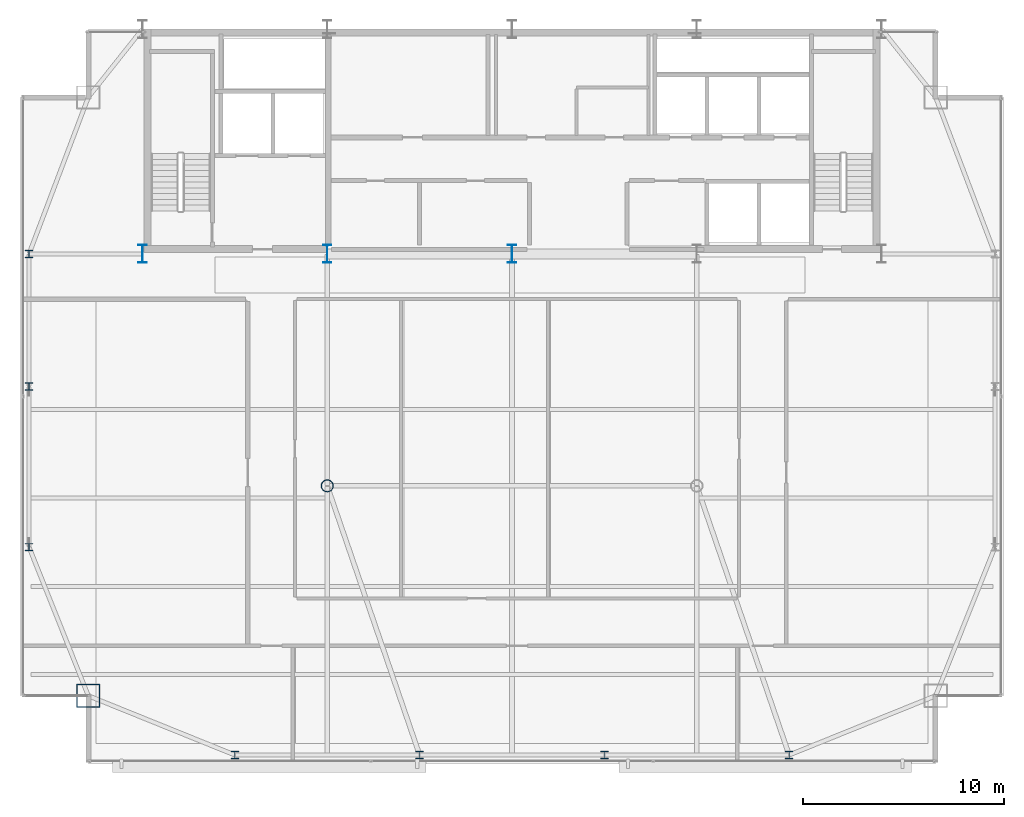
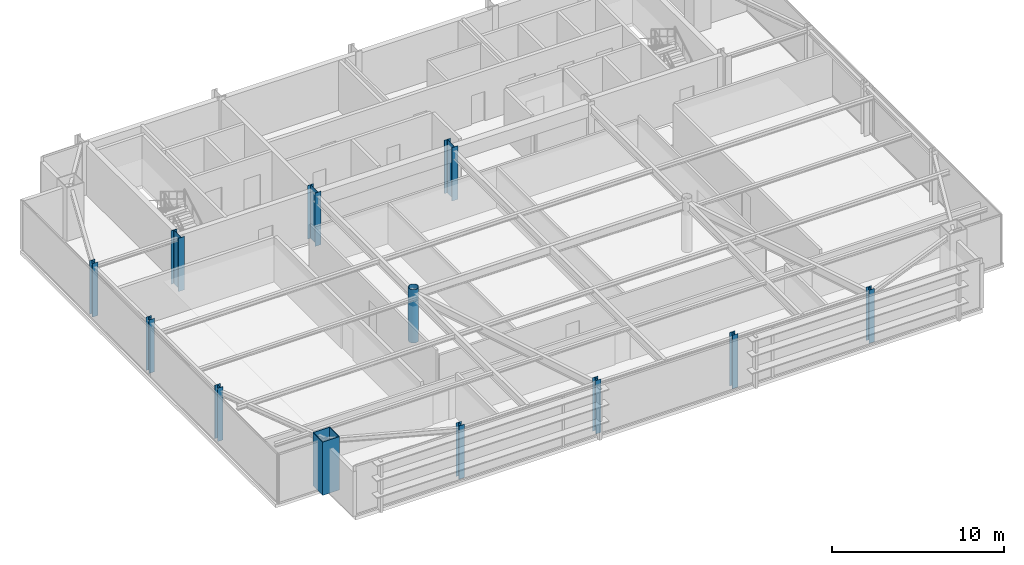
# One storey, part 1 of 25: 12 columns.
"""IFC4 building model written with IfcOpenShell, lengths in metres."""

import ifcopenshell
import ifcopenshell.guid

model = None  # the IFC model being written
_history = None  # IfcOwnerHistory: only IFC2X3 demands one
_inside = {}  # id of a spatial element -> (the spatial element, [elements in it])
_under = {}  # id of a project, library or spatial element -> (it, [spatial elements below it])
_declared = {}  # id of a project -> (the project, [libraries it declares])
_typed = {}  # id of a type object -> (the type object, [elements of that type])
_made_of = {}  # id of a material, layer set ... -> (it, [elements and type objects made of it])


def new_model(schema):
    """Start an empty IFC model of exactly this schema.

    Asked for "IFC4X3", IfcOpenShell would pick the latest addendum, in which some entities
    have other attributes; the version numbers below select the first issue.
    IFC2X3 requires an IfcOwnerHistory on every rooted entity: one is made here for all.
    """
    global model, _history
    if schema == "IFC4X3":
        model = ifcopenshell.file(schema_version=(4, 3, 0, 0))
    else:
        model = ifcopenshell.file(schema=schema)
    _inside.clear()
    _under.clear()
    _declared.clear()
    _typed.clear()
    _made_of.clear()
    _history = None
    if model.schema == "IFC2X3":
        org = make("IfcOrganization", Name="unknown")
        user = make(
            "IfcPersonAndOrganization",
            ThePerson=make("IfcPerson", FamilyName="unknown"),
            TheOrganization=org,
        )
        app = make(
            "IfcApplication",
            ApplicationDeveloper=org,
            Version="unknown",
            ApplicationFullName="unknown",
            ApplicationIdentifier="unknown",
        )
        _history = make(
            "IfcOwnerHistory",
            OwningUser=user,
            OwningApplication=app,
            ChangeAction="ADDED",
            CreationDate=0,
        )
    return model


def make(cls, **values):
    """One entity of the class cls with the attributes given. An attribute that is None is left unset."""
    return model.create_entity(
        cls, **{name: value for name, value in values.items() if value is not None}
    )


def rooted(cls, **values):
    """An entity with a GlobalId (a new one), such as an element, a storey or a relation."""
    return make(cls, GlobalId=ifcopenshell.guid.new(), OwnerHistory=_history, **values)


def si_unit(unit_type, name, prefix=None):
    """IfcSIUnit, for example si_unit("LENGTHUNIT", "METRE", prefix="MILLI")."""
    return make("IfcSIUnit", UnitType=unit_type, Prefix=prefix, Name=name)


def assignment(units):
    """IfcUnitAssignment: the units of a project."""
    return None if units is None else make("IfcUnitAssignment", Units=units)


def point(xyz):
    """IfcCartesianPoint."""
    return None if xyz is None else make("IfcCartesianPoint", Coordinates=xyz)


def direction(xyz):
    """IfcDirection."""
    return None if xyz is None else make("IfcDirection", DirectionRatios=xyz)


def frame(location, z_axis=None, x_axis=None):
    """IfcAxis2Placement3D, a coordinate frame: its origin and axes. An axis left out is left unset."""
    return make(
        "IfcAxis2Placement3D",
        Location=point(location),
        Axis=direction(z_axis),
        RefDirection=direction(x_axis),
    )


def frame_2d(location, x_axis=None):
    """IfcAxis2Placement2D, a coordinate frame in the plane: its origin and x axis."""
    return make(
        "IfcAxis2Placement2D", Location=point(location), RefDirection=direction(x_axis)
    )


def origin():
    """The frame at (0, 0, 0) with its axes left unset."""
    return frame((0.0, 0.0, 0.0))


def origin_2d():
    """The frame at (0, 0) in the plane with its x axis left unset."""
    return frame_2d((0.0, 0.0))


def place(relative_to, where):
    """IfcLocalPlacement: puts the frame where relative to a parent placement (None: the world)."""
    return make(
        "IfcLocalPlacement", PlacementRelTo=relative_to, RelativePlacement=where
    )


def context(
    kind, dimensions, precision=None, world=None, true_north=None, identifier=None
):
    """IfcGeometricRepresentationContext, for example the 3D "Model" context."""
    return make(
        "IfcGeometricRepresentationContext",
        ContextIdentifier=identifier,
        ContextType=kind,
        CoordinateSpaceDimension=dimensions,
        Precision=precision,
        WorldCoordinateSystem=world,
        TrueNorth=true_north,
    )


def subcontext(parent, identifier, kind, view, scale=None):
    """IfcGeometricRepresentationSubContext, for example "Body" below "Model"."""
    return make(
        "IfcGeometricRepresentationSubContext",
        ContextIdentifier=identifier,
        ContextType=kind,
        ParentContext=parent,
        TargetScale=scale,
        TargetView=view,
    )


def project(units=None, contexts=None):
    """IfcProject with its units and contexts."""
    return rooted(
        "IfcProject",
        Name="project",
        RepresentationContexts=contexts,
        UnitsInContext=assignment(units),
    )


def spatial(cls, under=None, at=None, **own):
    """A site, building, storey or space (cls), placed at a placement, below another one or the project."""
    s = rooted(cls, ObjectPlacement=at, **own)
    if under is not None:
        _under.setdefault(under.id(), (under, []))[1].append(s)
    return s


def profile(cls, at=None, kind="AREA", **sizes):
    """A parametric profile (cls). Its sizes go by their IFC names, for example OverallWidth=200.0."""
    return make(cls, ProfileType=kind, Position=at, **sizes)


def hollow_rectangle(**sizes):
    """IfcRectangleHollowProfileDef."""
    return profile("IfcRectangleHollowProfileDef", **sizes)


def hollow_circle(**sizes):
    """IfcCircleHollowProfileDef."""
    return profile("IfcCircleHollowProfileDef", **sizes)


def i_section(**sizes):
    """IfcIShapeProfileDef."""
    return profile("IfcIShapeProfileDef", **sizes)


def extrude(swept, where, along, depth):
    """IfcExtrudedAreaSolid: the profile swept, set in the frame where, extruded along a direction by depth."""
    return make(
        "IfcExtrudedAreaSolid",
        SweptArea=swept,
        Position=where,
        ExtrudedDirection=direction(along),
        Depth=depth,
    )


def shape(context_of_items, identifier, shape_type, items):
    """IfcShapeRepresentation: the items that make up one representation, for example the "Body"."""
    return make(
        "IfcShapeRepresentation",
        ContextOfItems=context_of_items,
        RepresentationIdentifier=identifier,
        RepresentationType=shape_type,
        Items=items,
    )


def source(mapping_origin, context_of_items, identifier, shape_type, items):
    """IfcRepresentationMap: a shape defined once, which mapped items show again and again."""
    return make(
        "IfcRepresentationMap",
        MappingOrigin=mapping_origin,
        MappedRepresentation=shape(context_of_items, identifier, shape_type, items),
    )


def transform(
    local_origin,
    x_axis=None,
    y_axis=None,
    z_axis=None,
    scale=None,
    scale2=None,
    scale3=None,
    uniform=True,
):
    """IfcCartesianTransformationOperator3D, or its non-uniform kind. x_axis, y_axis, z_axis: its Axis1, 2, 3."""
    if uniform:
        return make(
            "IfcCartesianTransformationOperator3D",
            Axis1=direction(x_axis),
            Axis2=direction(y_axis),
            LocalOrigin=point(local_origin),
            Scale=scale,
            Axis3=direction(z_axis),
        )
    return make(
        "IfcCartesianTransformationOperator3DnonUniform",
        Axis1=direction(x_axis),
        Axis2=direction(y_axis),
        LocalOrigin=point(local_origin),
        Scale=scale,
        Axis3=direction(z_axis),
        Scale2=scale2,
        Scale3=scale3,
    )


def mapped(mapping_source, mapping_target):
    """IfcMappedItem: shows the shape of a source again, moved by a transform."""
    return make(
        "IfcMappedItem", MappingSource=mapping_source, MappingTarget=mapping_target
    )


def material(Name=None, Category=None):
    """IfcMaterial."""
    return make("IfcMaterial", Name=Name, Category=Category)


def material_profile(
    of_material, cross_section, Name=None, Category=None, Priority=None
):
    """IfcMaterialProfile: a cross section and its material."""
    return make(
        "IfcMaterialProfile",
        Name=Name,
        Material=of_material,
        Profile=cross_section,
        Priority=Priority,
        Category=Category,
    )


def profile_set(profiles, Name=None, composite=None):
    """IfcMaterialProfileSet."""
    return make(
        "IfcMaterialProfileSet",
        Name=Name,
        MaterialProfiles=profiles,
        CompositeProfile=composite,
    )


def made_of(thing, what):
    """Note that an element or type object is made of a material, layer set ...; save() writes the relation."""
    if what is not None:
        _made_of.setdefault(what.id(), (what, []))[1].append(thing)
    return thing


def type_object(cls, material=None, **own):
    """A type object (cls), such as IfcWallType, which elements share."""
    return made_of(rooted(cls, **own), material)


def type_shapes(of_type, sources):
    """Give a type object the sources (RepresentationMaps) that its elements show as mapped items."""
    of_type.RepresentationMaps = sources


def element(
    cls,
    number,
    at=None,
    inside=None,
    cuts=None,
    type_object=None,
    material=None,
    context=None,
    identifier="Body",
    shape_type=None,
    held_by="IfcProductDefinitionShape",
    body=None,
    shapes=None,
    **own,
):
    """One element of the class cls, such as IfcWall. Its Tag is "e" and its number.

    at: its placement. inside: the storey or other place that contains it. cuts: it is an
    opening in that element (IfcRelVoidsElement). A single representation is given by context,
    identifier, shape_type and body (its items); several are given by shapes. held_by: the class
    of the entity that holds the representations. save() writes the other relations.
    """
    e = rooted(cls, Tag="e%d" % number, ObjectPlacement=at, **own)
    if body is not None:
        shapes = [shape(context, identifier, shape_type, body)]
    if shapes is not None:
        e.Representation = make(held_by, Representations=shapes)
    if inside is not None:
        _inside.setdefault(inside.id(), (inside, []))[1].append(e)
    if cuts is not None:
        rooted(
            "IfcRelVoidsElement", RelatingBuildingElement=cuts, RelatedOpeningElement=e
        )
    if type_object is not None:
        _typed.setdefault(type_object.id(), (type_object, []))[1].append(e)
    return made_of(e, material)


def aggregate(whole, parts):
    """IfcRelAggregates: a whole, such as a stair, and the parts it consists of."""
    return rooted("IfcRelAggregates", RelatingObject=whole, RelatedObjects=parts)


def save(model, path):
    """Write the relations noted so far, then the file.

    IfcRelAggregates (storeys below a building ...), IfcRelContainedInSpatialStructure (elements
    in a storey), IfcRelDefinesByType, IfcRelAssociatesMaterial and IfcRelDeclares: one each for
    every whole, place, type object, material and project.
    """
    for whole, parts in _under.values():
        aggregate(whole, parts)
    for where, things in _inside.values():
        rooted(
            "IfcRelContainedInSpatialStructure",
            RelatedElements=things,
            RelatingStructure=where,
        )
    for kind, things in _typed.values():
        rooted("IfcRelDefinesByType", RelatedObjects=things, RelatingType=kind)
    for what, things in _made_of.values():
        rooted("IfcRelAssociatesMaterial", RelatedObjects=things, RelatingMaterial=what)
    for by, libraries in _declared.values():
        rooted("IfcRelDeclares", RelatingContext=by, RelatedDefinitions=libraries)
    model.write(path)


model = new_model("IFC4")

# Units and contexts
model_context = context("Model", 3, precision=1e-05, world=origin(), true_north=direction((0.0, 1.0)))
body_context = subcontext(model_context, "Body", "Model", "MODEL_VIEW")
ifc_project = project(units=[si_unit("LENGTHUNIT", "METRE"), si_unit("AREAUNIT", "SQUARE_METRE"), si_unit("VOLUMEUNIT", "CUBIC_METRE"), si_unit("PLANEANGLEUNIT", "RADIAN"), si_unit("MASSUNIT", "GRAM", prefix="KILO")], contexts=[model_context])

# Site, building, storey
site_placement = place(None, origin())
site = spatial("IfcSite", under=ifc_project, at=site_placement, CompositionType="ELEMENT")
building_placement = place(site_placement, origin())
building = spatial("IfcBuilding", under=site, at=building_placement, Name="Varnel Quay Broadcast Tower", CompositionType="ELEMENT")
storey_placement = place(building_placement, frame((0.0, 0.0, 226.39990234375)))
storey = spatial("IfcBuildingStorey", under=building, at=storey_placement, Name="L56", CompositionType="ELEMENT", Elevation=226.39990234375)

# Columns
ifc_material_1 = material(Name="Structural Steel CSA G40.21 350WT", Category="steel")
ifc_material_profile_1 = material_profile(ifc_material_1, i_section(OverallWidth=0.39990234375, OverallDepth=0.89990234375, WebThickness=0.01611328125, FlangeThickness=0.028076171875, FilletRadius=0.01611328125, at=origin_2d()), Name="WWF900X309")
ifc_profile_set_1 = profile_set([ifc_material_profile_1], Name="Structural Steel CSA G40.21 350WT")
column_type_1 = type_object("IfcColumnType", Name="Col_WWF900X309", PredefinedType="COLUMN", material=ifc_profile_set_1)
shared_shape_1 = source(origin(), body_context, "Body", "SweptSolid", [
    extrude(i_section(OverallWidth=0.39990234375, OverallDepth=0.89990234375, WebThickness=0.01611328125, FlangeThickness=0.028076171875, FilletRadius=0.01611328125, at=origin_2d()), origin(), (0.0, 0.0, 1.0), 3.800048828125),
])
type_shapes(column_type_1, [shared_shape_1])
for number, where, z_axis, x_axis, name in (
    (1, (15.60009765625, 35.60009765625, 0.0), (0.0, 0.0, 1.0), (1.0, 0.0, 0.0), "L56 Column CC-S1"),
    (2, (24.800048828125, 35.60009765625, 0.0), (0.0, 0.0, 1.0), (1.0, 0.0, 0.0), "L56 Column CC-S2"),
    (3, (34.0, 35.60009765625, 0.0), (0.0, 0.0, 1.0), (1.0, 0.0, 0.0), "L56 Column CC-S3"),
):
    element("IfcColumn", number, at=place(storey_placement, frame(where, z_axis=z_axis, x_axis=x_axis)), inside=storey, type_object=column_type_1, Name=name, PredefinedType="COLUMN", context=body_context, shape_type="MappedRepresentation", body=[
        mapped(shared_shape_1, transform((0.0, 0.0, 0.0), x_axis=(1.0, 0.0, 0.0), y_axis=(0.0, 1.0, 0.0), z_axis=(0.0, 0.0, 1.0), scale=1.0)),
    ])
ifc_material_profile_2 = material_profile(ifc_material_1, hollow_rectangle(XDim=1.14990234375, YDim=1.14990234375, WallThickness=0.044921875, at=origin_2d()), Name="BOX1150X1150X45")
ifc_profile_set_2 = profile_set([ifc_material_profile_2], Name="Structural Steel CSA G40.21 350WT")
column_type_2 = type_object("IfcColumnType", Name="Col_BOX1150X1150X45", PredefinedType="COLUMN", material=ifc_profile_set_2)
shared_shape_2 = source(origin(), body_context, "Body", "SweptSolid", [
    extrude(hollow_rectangle(XDim=1.14990234375, YDim=1.14990234375, WallThickness=0.044921875, at=origin_2d()), origin(), (0.0, 0.0, 1.0), 3.800048828125),
])
type_shapes(column_type_2, [shared_shape_2])
column_1_placement = place(storey_placement, frame((12.89990234375, 13.60009765625, 0.0), z_axis=(0.0, 0.0, 1.0), x_axis=(1.0, 0.0, 0.0)))
element("IfcColumn", 4, at=column_1_placement, inside=storey, type_object=column_type_2, Name="L56 Column MC-SW", PredefinedType="COLUMN", context=body_context, shape_type="MappedRepresentation", body=[
    mapped(shared_shape_2, transform((0.0, 0.0, 0.0), x_axis=(1.0, 0.0, 0.0), y_axis=(0.0, 1.0, 0.0), z_axis=(0.0, 0.0, 1.0), scale=1.0)),
])
ifc_material_2 = material(Name="Structural Steel CSA G40.21 350W", Category="steel")
ifc_material_profile_3 = material_profile(ifc_material_2, i_section(OverallWidth=0.368896484375, OverallDepth=0.35595703125, WebThickness=0.01123046875, FlangeThickness=0.01806640625, FilletRadius=0.01611328125, at=origin_2d()), Name="W360X134")
ifc_profile_set_3 = profile_set([ifc_material_profile_3], Name="Structural Steel CSA G40.21 350W")
column_type_3 = type_object("IfcColumnType", Name="Col_W360X134", PredefinedType="COLUMN", material=ifc_profile_set_3)
shared_shape_3 = source(origin(), body_context, "Body", "SweptSolid", [
    extrude(i_section(OverallWidth=0.368896484375, OverallDepth=0.35595703125, WebThickness=0.01123046875, FlangeThickness=0.01806640625, FilletRadius=0.01611328125, at=origin_2d()), origin(), (0.0, 0.0, 1.0), 3.800048828125),
])
type_shapes(column_type_3, [shared_shape_3])
for number, where, z_axis, x_axis, name in (
    (5, (20.199951171875, 10.64990234375, 0.0), (0.0, 0.0, 1.0), (1.0, 0.0, 0.0), "L56 Column TC-S1"),
    (6, (29.39990234375, 10.64990234375, 0.0), (0.0, 0.0, 1.0), (1.0, 0.0, 0.0), "L56 Column TC-S2"),
    (7, (38.60009765625, 10.64990234375, 0.0), (0.0, 0.0, 1.0), (1.0, 0.0, 0.0), "L56 Column TC-S3"),
    (8, (47.800048828125, 10.64990234375, 0.0), (0.0, 0.0, 1.0), (1.0, 0.0, 0.0), "L56 Column TC-S4"),
    (9, (9.949951171875, 21.0, 0.0), (0.0, 0.0, 1.0), (1.0, 0.0, 0.0), "L56 Column TC-W1"),
    (10, (9.949951171875, 29.0, 0.0), (0.0, 0.0, 1.0), (1.0, 0.0, 0.0), "L56 Column TC-W2"),
    (11, (9.949951171875, 35.60009765625, 0.0), (0.0, 0.0, 1.0), (1.0, 0.0, 0.0), "L56 Column TC-W3"),
):
    element("IfcColumn", number, at=place(storey_placement, frame(where, z_axis=z_axis, x_axis=x_axis)), inside=storey, type_object=column_type_3, Name=name, PredefinedType="COLUMN", context=body_context, shape_type="MappedRepresentation", body=[
        mapped(shared_shape_3, transform((0.0, 0.0, 0.0), x_axis=(1.0, 0.0, 0.0), y_axis=(0.0, 1.0, 0.0), z_axis=(0.0, 0.0, 1.0), scale=1.0)),
    ])
ifc_material_profile_4 = material_profile(ifc_material_2, hollow_circle(Radius=0.304931640625, WallThickness=0.02490234375, at=origin_2d()), Name="CHS610X25")
ifc_profile_set_4 = profile_set([ifc_material_profile_4], Name="Structural Steel CSA G40.21 350W")
column_type_4 = type_object("IfcColumnType", Name="Col_CHS610X25", PredefinedType="COLUMN", material=ifc_profile_set_4)
shared_shape_4 = source(origin(), body_context, "Body", "SweptSolid", [
    extrude(hollow_circle(Radius=0.304931640625, WallThickness=0.02490234375, at=origin_2d()), origin(), (0.0, 0.0, 1.0), 3.800048828125),
])
type_shapes(column_type_4, [shared_shape_4])
column_2_placement = place(storey_placement, frame((24.800048828125, 24.050048828125, 0.0), z_axis=(0.0, 0.0, 1.0), x_axis=(1.0, 0.0, 0.0)))
element("IfcColumn", 12, at=column_2_placement, inside=storey, type_object=column_type_4, Name="L56 Column IC-01", PredefinedType="COLUMN", context=body_context, shape_type="MappedRepresentation", body=[
    mapped(shared_shape_4, transform((0.0, 0.0, 0.0), x_axis=(1.0, 0.0, 0.0), y_axis=(0.0, 1.0, 0.0), z_axis=(0.0, 0.0, 1.0), scale=1.0)),
])

save(model, "model.ifc")
